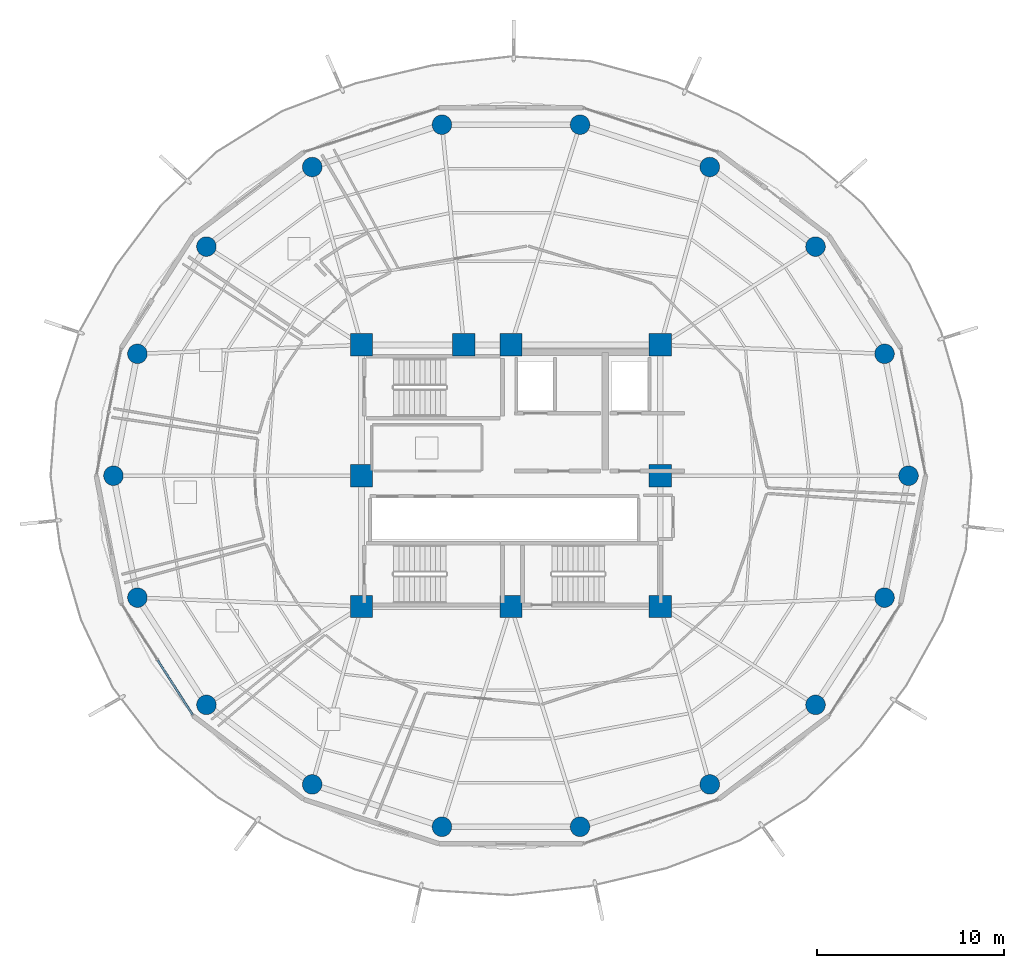
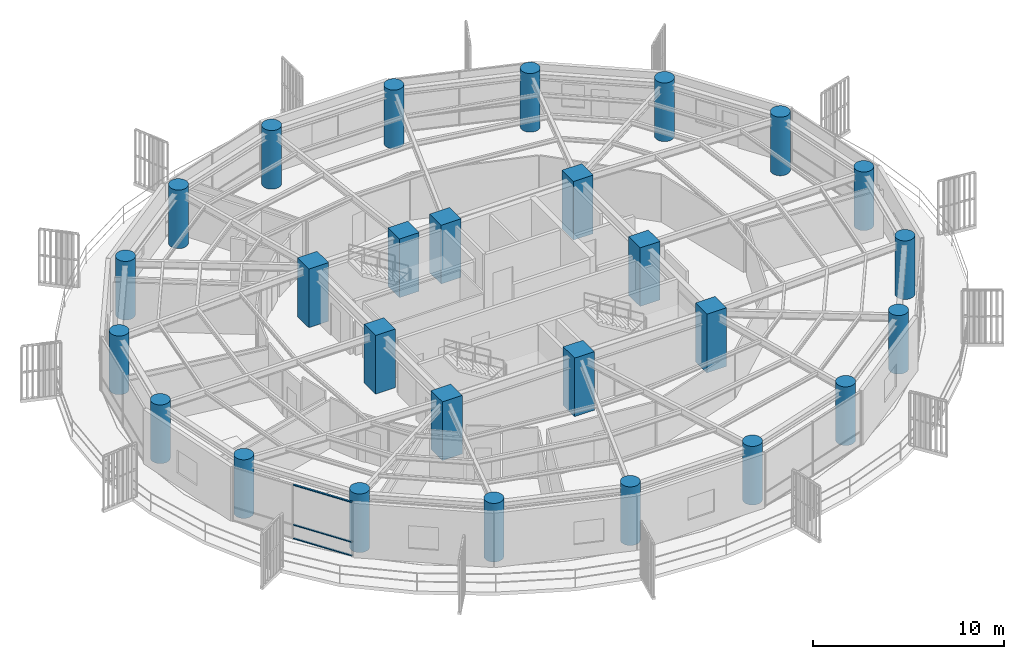
# One storey, part 1 of 31: 27 columns, 3 members, 1 element without a shape of its own.
"""IFC4 building model written with IfcOpenShell, lengths in metres."""

import ifcopenshell
import ifcopenshell.guid

model = None  # the IFC model being written
_history = None  # IfcOwnerHistory: only IFC2X3 demands one
_inside = {}  # id of a spatial element -> (the spatial element, [elements in it])
_under = {}  # id of a project, library or spatial element -> (it, [spatial elements below it])
_declared = {}  # id of a project -> (the project, [libraries it declares])
_typed = {}  # id of a type object -> (the type object, [elements of that type])
_made_of = {}  # id of a material, layer set ... -> (it, [elements and type objects made of it])


def new_model(schema):
    """Start an empty IFC model of exactly this schema.

    Asked for "IFC4X3", IfcOpenShell would pick the latest addendum, in which some entities
    have other attributes; the version numbers below select the first issue.
    IFC2X3 requires an IfcOwnerHistory on every rooted entity: one is made here for all.
    """
    global model, _history
    if schema == "IFC4X3":
        model = ifcopenshell.file(schema_version=(4, 3, 0, 0))
    else:
        model = ifcopenshell.file(schema=schema)
    _inside.clear()
    _under.clear()
    _declared.clear()
    _typed.clear()
    _made_of.clear()
    _history = None
    if model.schema == "IFC2X3":
        org = make("IfcOrganization", Name="unknown")
        user = make(
            "IfcPersonAndOrganization",
            ThePerson=make("IfcPerson", FamilyName="unknown"),
            TheOrganization=org,
        )
        app = make(
            "IfcApplication",
            ApplicationDeveloper=org,
            Version="unknown",
            ApplicationFullName="unknown",
            ApplicationIdentifier="unknown",
        )
        _history = make(
            "IfcOwnerHistory",
            OwningUser=user,
            OwningApplication=app,
            ChangeAction="ADDED",
            CreationDate=0,
        )
    return model


def make(cls, **values):
    """One entity of the class cls with the attributes given. An attribute that is None is left unset."""
    return model.create_entity(
        cls, **{name: value for name, value in values.items() if value is not None}
    )


def rooted(cls, **values):
    """An entity with a GlobalId (a new one), such as an element, a storey or a relation."""
    return make(cls, GlobalId=ifcopenshell.guid.new(), OwnerHistory=_history, **values)


def si_unit(unit_type, name, prefix=None):
    """IfcSIUnit, for example si_unit("LENGTHUNIT", "METRE", prefix="MILLI")."""
    return make("IfcSIUnit", UnitType=unit_type, Prefix=prefix, Name=name)


def assignment(units):
    """IfcUnitAssignment: the units of a project."""
    return None if units is None else make("IfcUnitAssignment", Units=units)


def point(xyz):
    """IfcCartesianPoint."""
    return None if xyz is None else make("IfcCartesianPoint", Coordinates=xyz)


def direction(xyz):
    """IfcDirection."""
    return None if xyz is None else make("IfcDirection", DirectionRatios=xyz)


def frame(location, z_axis=None, x_axis=None):
    """IfcAxis2Placement3D, a coordinate frame: its origin and axes. An axis left out is left unset."""
    return make(
        "IfcAxis2Placement3D",
        Location=point(location),
        Axis=direction(z_axis),
        RefDirection=direction(x_axis),
    )


def frame_2d(location, x_axis=None):
    """IfcAxis2Placement2D, a coordinate frame in the plane: its origin and x axis."""
    return make(
        "IfcAxis2Placement2D", Location=point(location), RefDirection=direction(x_axis)
    )


def origin():
    """The frame at (0, 0, 0) with its axes left unset."""
    return frame((0.0, 0.0, 0.0))


def origin_2d():
    """The frame at (0, 0) in the plane with its x axis left unset."""
    return frame_2d((0.0, 0.0))


def place(relative_to, where):
    """IfcLocalPlacement: puts the frame where relative to a parent placement (None: the world)."""
    return make(
        "IfcLocalPlacement", PlacementRelTo=relative_to, RelativePlacement=where
    )


def context(
    kind, dimensions, precision=None, world=None, true_north=None, identifier=None
):
    """IfcGeometricRepresentationContext, for example the 3D "Model" context."""
    return make(
        "IfcGeometricRepresentationContext",
        ContextIdentifier=identifier,
        ContextType=kind,
        CoordinateSpaceDimension=dimensions,
        Precision=precision,
        WorldCoordinateSystem=world,
        TrueNorth=true_north,
    )


def subcontext(parent, identifier, kind, view, scale=None):
    """IfcGeometricRepresentationSubContext, for example "Body" below "Model"."""
    return make(
        "IfcGeometricRepresentationSubContext",
        ContextIdentifier=identifier,
        ContextType=kind,
        ParentContext=parent,
        TargetScale=scale,
        TargetView=view,
    )


def project(units=None, contexts=None):
    """IfcProject with its units and contexts."""
    return rooted(
        "IfcProject",
        Name="project",
        RepresentationContexts=contexts,
        UnitsInContext=assignment(units),
    )


def spatial(cls, under=None, at=None, **own):
    """A site, building, storey or space (cls), placed at a placement, below another one or the project."""
    s = rooted(cls, ObjectPlacement=at, **own)
    if under is not None:
        _under.setdefault(under.id(), (under, []))[1].append(s)
    return s


def profile(cls, at=None, kind="AREA", **sizes):
    """A parametric profile (cls). Its sizes go by their IFC names, for example OverallWidth=200.0."""
    return make(cls, ProfileType=kind, Position=at, **sizes)


def rectangle(**sizes):
    """IfcRectangleProfileDef."""
    return profile("IfcRectangleProfileDef", **sizes)


def hollow_rectangle(**sizes):
    """IfcRectangleHollowProfileDef."""
    return profile("IfcRectangleHollowProfileDef", **sizes)


def circle(**sizes):
    """IfcCircleProfileDef."""
    return profile("IfcCircleProfileDef", **sizes)


def extrude(swept, where, along, depth):
    """IfcExtrudedAreaSolid: the profile swept, set in the frame where, extruded along a direction by depth."""
    return make(
        "IfcExtrudedAreaSolid",
        SweptArea=swept,
        Position=where,
        ExtrudedDirection=direction(along),
        Depth=depth,
    )


def shape(context_of_items, identifier, shape_type, items):
    """IfcShapeRepresentation: the items that make up one representation, for example the "Body"."""
    return make(
        "IfcShapeRepresentation",
        ContextOfItems=context_of_items,
        RepresentationIdentifier=identifier,
        RepresentationType=shape_type,
        Items=items,
    )


def material(Name=None, Category=None):
    """IfcMaterial."""
    return make("IfcMaterial", Name=Name, Category=Category)


def layer(
    of_material, thickness, ventilated=None, Name=None, Category=None, Priority=None
):
    """IfcMaterialLayer: one layer of a wall or slab, of a material (None: an air gap)."""
    return make(
        "IfcMaterialLayer",
        Material=of_material,
        LayerThickness=thickness,
        IsVentilated=ventilated,
        Name=Name,
        Category=Category,
        Priority=Priority,
    )


def layer_set(layers, Name=None):
    """IfcMaterialLayerSet."""
    return make("IfcMaterialLayerSet", MaterialLayers=layers, LayerSetName=Name)


def material_profile(
    of_material, cross_section, Name=None, Category=None, Priority=None
):
    """IfcMaterialProfile: a cross section and its material."""
    return make(
        "IfcMaterialProfile",
        Name=Name,
        Material=of_material,
        Profile=cross_section,
        Priority=Priority,
        Category=Category,
    )


def profile_set(profiles, Name=None, composite=None):
    """IfcMaterialProfileSet."""
    return make(
        "IfcMaterialProfileSet",
        Name=Name,
        MaterialProfiles=profiles,
        CompositeProfile=composite,
    )


def made_of(thing, what):
    """Note that an element or type object is made of a material, layer set ...; save() writes the relation."""
    if what is not None:
        _made_of.setdefault(what.id(), (what, []))[1].append(thing)
    return thing


def type_object(cls, material=None, **own):
    """A type object (cls), such as IfcWallType, which elements share."""
    return made_of(rooted(cls, **own), material)


def element(
    cls,
    number,
    at=None,
    inside=None,
    cuts=None,
    type_object=None,
    material=None,
    context=None,
    identifier="Body",
    shape_type=None,
    held_by="IfcProductDefinitionShape",
    body=None,
    shapes=None,
    **own,
):
    """One element of the class cls, such as IfcWall. Its Tag is "e" and its number.

    at: its placement. inside: the storey or other place that contains it. cuts: it is an
    opening in that element (IfcRelVoidsElement). A single representation is given by context,
    identifier, shape_type and body (its items); several are given by shapes. held_by: the class
    of the entity that holds the representations. save() writes the other relations.
    """
    e = rooted(cls, Tag="e%d" % number, ObjectPlacement=at, **own)
    if body is not None:
        shapes = [shape(context, identifier, shape_type, body)]
    if shapes is not None:
        e.Representation = make(held_by, Representations=shapes)
    if inside is not None:
        _inside.setdefault(inside.id(), (inside, []))[1].append(e)
    if cuts is not None:
        rooted(
            "IfcRelVoidsElement", RelatingBuildingElement=cuts, RelatedOpeningElement=e
        )
    if type_object is not None:
        _typed.setdefault(type_object.id(), (type_object, []))[1].append(e)
    return made_of(e, material)


def aggregate(whole, parts):
    """IfcRelAggregates: a whole, such as a stair, and the parts it consists of."""
    return rooted("IfcRelAggregates", RelatingObject=whole, RelatedObjects=parts)


def save(model, path):
    """Write the relations noted so far, then the file.

    IfcRelAggregates (storeys below a building ...), IfcRelContainedInSpatialStructure (elements
    in a storey), IfcRelDefinesByType, IfcRelAssociatesMaterial and IfcRelDeclares: one each for
    every whole, place, type object, material and project.
    """
    for whole, parts in _under.values():
        aggregate(whole, parts)
    for where, things in _inside.values():
        rooted(
            "IfcRelContainedInSpatialStructure",
            RelatedElements=things,
            RelatingStructure=where,
        )
    for kind, things in _typed.values():
        rooted("IfcRelDefinesByType", RelatedObjects=things, RelatingType=kind)
    for what, things in _made_of.values():
        rooted("IfcRelAssociatesMaterial", RelatedObjects=things, RelatingMaterial=what)
    for by, libraries in _declared.values():
        rooted("IfcRelDeclares", RelatingContext=by, RelatedDefinitions=libraries)
    model.write(path)


model = new_model("IFC4")

# Units and contexts
model_context = context("Model", 3, precision=1e-05, world=origin(), true_north=direction((0.0, 1.0)))
body_context = subcontext(model_context, "Body", "Model", "MODEL_VIEW")
ifc_project = project(units=[si_unit("LENGTHUNIT", "METRE"), si_unit("AREAUNIT", "SQUARE_METRE"), si_unit("VOLUMEUNIT", "CUBIC_METRE"), si_unit("PLANEANGLEUNIT", "RADIAN"), si_unit("MASSUNIT", "GRAM", prefix="KILO")], contexts=[model_context])

# Site, building, storey
site_placement = place(None, origin())
site = spatial("IfcSite", under=ifc_project, at=site_placement, CompositionType="ELEMENT")
building_placement = place(site_placement, origin())
building = spatial("IfcBuilding", under=site, at=building_placement, Name="Kelanora Arch Commons", CompositionType="ELEMENT")
storey_placement = place(building_placement, frame((0.0, 0.0, 193.199951171875)))
storey = spatial("IfcBuildingStorey", under=building, at=storey_placement, Name="L49", CompositionType="ELEMENT", Elevation=193.199951171875)

# Columns
ifc_material_1 = material(Name="Concrete C50/60", Category="concrete")
ifc_material_profile_1 = material_profile(ifc_material_1, circle(Radius=0.52490234375, at=origin_2d()), Name="RCC1050")
ifc_profile_set_1 = profile_set([ifc_material_profile_1], Name="Concrete C50/60")
column_type_1 = type_object("IfcColumnType", Name="COL-PERIM-Z4", PredefinedType="COLUMN", material=ifc_profile_set_1)
for number, where, z_axis, x_axis, name in (
    (1, (95.280029296875, 58.0, 0.0), (0.0, 0.0, 1.0), (1.0, 0.0, 0.0), "Perimeter Ring Column CP-00 L49"),
    (2, (93.99658203125, 64.525634765625, 0.0), (0.0, 0.0, 1.0), (1.0, 0.0, 0.0), "Perimeter Ring Column CP-02 L49"),
    (3, (90.301513671875, 70.264404296875, 0.0), (0.0, 0.0, 1.0), (1.0, 0.0, 0.0), "Perimeter Ring Column CP-04 L49"),
    (4, (84.639892578125, 74.523681640625, 0.0), (0.0, 0.0, 1.0), (1.0, 0.0, 0.0), "Perimeter Ring Column CP-06 L49"),
    (5, (77.6953125, 76.7900390625, 0.0), (0.0, 0.0, 1.0), (1.0, 0.0, 0.0), "Perimeter Ring Column CP-08 L49"),
    (6, (70.3046875, 76.7900390625, 0.0), (0.0, 0.0, 1.0), (1.0, 0.0, 0.0), "Perimeter Ring Column CP-10 L49"),
    (7, (63.360107421875, 74.523681640625, 0.0), (0.0, 0.0, 1.0), (1.0, 0.0, 0.0), "Perimeter Ring Column CP-12 L49"),
    (8, (57.698486328125, 70.264404296875, 0.0), (0.0, 0.0, 1.0), (1.0, 0.0, 0.0), "Perimeter Ring Column CP-14 L49"),
    (9, (54.00341796875, 64.525634765625, 0.0), (0.0, 0.0, 1.0), (1.0, 0.0, 0.0), "Perimeter Ring Column CP-16 L49"),
    (10, (52.719970703125, 58.0, 0.0), (0.0, 0.0, 1.0), (1.0, 0.0, 0.0), "Perimeter Ring Column CP-18 L49"),
    (11, (54.00341796875, 51.474365234375, 0.0), (0.0, 0.0, 1.0), (1.0, 0.0, 0.0), "Perimeter Ring Column CP-20 L49"),
    (12, (57.698486328125, 45.735595703125, 0.0), (0.0, 0.0, 1.0), (1.0, 0.0, 0.0), "Perimeter Ring Column CP-22 L49"),
    (13, (63.360107421875, 41.476318359375, 0.0), (0.0, 0.0, 1.0), (1.0, 0.0, 0.0), "Perimeter Ring Column CP-24 L49"),
    (14, (70.3046875, 39.2099609375, 0.0), (0.0, 0.0, 1.0), (1.0, 0.0, 0.0), "Perimeter Ring Column CP-26 L49"),
    (15, (77.6953125, 39.2099609375, 0.0), (0.0, 0.0, 1.0), (1.0, 0.0, 0.0), "Perimeter Ring Column CP-28 L49"),
    (16, (84.639892578125, 41.476318359375, 0.0), (0.0, 0.0, 1.0), (1.0, 0.0, 0.0), "Perimeter Ring Column CP-30 L49"),
    (17, (90.301513671875, 45.735595703125, 0.0), (0.0, 0.0, 1.0), (1.0, 0.0, 0.0), "Perimeter Ring Column CP-32 L49"),
    (18, (93.99658203125, 51.474365234375, 0.0), (0.0, 0.0, 1.0), (1.0, 0.0, 0.0), "Perimeter Ring Column CP-34 L49"),
):
    element("IfcColumn", number, at=place(storey_placement, frame(where, z_axis=z_axis, x_axis=x_axis)), inside=storey, type_object=column_type_1, Name=name, PredefinedType="COLUMN", context=body_context, shape_type="SweptSolid", body=[
        extrude(circle(Radius=0.52490234375, at=origin_2d()), origin(), (0.0, 0.0, 1.0), 3.75),
    ])
ifc_material_2 = material(Name="Concrete C60/75", Category="concrete")
ifc_material_profile_2 = material_profile(ifc_material_2, rectangle(XDim=1.199951171875, YDim=1.199951171875, at=origin_2d()), Name="RC1200x1200")
ifc_profile_set_2 = profile_set([ifc_material_profile_2], Name="Concrete C60/75")
column_type_2 = type_object("IfcColumnType", Name="COL-PIL-MID", PredefinedType="PILASTER", material=ifc_profile_set_2)
for number, where, z_axis, x_axis, name in (
    (19, (66.0, 51.0, 0.0), (0.0, 0.0, 1.0), (1.0, 0.0, 0.0), "Core Pilaster Column CP1 L49"),
    (20, (74.0, 51.0, 0.0), (0.0, 0.0, 1.0), (1.0, 0.0, 0.0), "Core Pilaster Column CP2 L49"),
    (21, (82.0, 51.0, 0.0), (0.0, 0.0, 1.0), (1.0, 0.0, 0.0), "Core Pilaster Column CP3 L49"),
    (22, (82.0, 58.0, 0.0), (0.0, 0.0, 1.0), (1.0, 0.0, 0.0), "Core Pilaster Column CP4 L49"),
    (23, (82.0, 65.0, 0.0), (0.0, 0.0, 1.0), (1.0, 0.0, 0.0), "Core Pilaster Column CP5 L49"),
    (24, (74.0, 65.0, 0.0), (0.0, 0.0, 1.0), (1.0, 0.0, 0.0), "Core Pilaster Column CP6 L49"),
    (25, (71.47998046875, 65.0, 0.0), (0.0, 0.0, 1.0), (1.0, 0.0, 0.0), "Core Pilaster Column CP9 L49"),
    (26, (66.0, 65.0, 0.0), (0.0, 0.0, 1.0), (1.0, 0.0, 0.0), "Core Pilaster Column CP7 L49"),
    (27, (66.0, 58.0, 0.0), (0.0, 0.0, 1.0), (1.0, 0.0, 0.0), "Core Pilaster Column CP8 L49"),
):
    element("IfcColumn", number, at=place(storey_placement, frame(where, z_axis=z_axis, x_axis=x_axis)), inside=storey, type_object=column_type_2, Name=name, PredefinedType="PILASTER", context=body_context, shape_type="SweptSolid", body=[
        extrude(rectangle(XDim=1.199951171875, YDim=1.199951171875, at=origin_2d()), origin(), (0.0, 0.0, 1.0), 3.75),
    ])

# Curtain wall, members
ifc_material_3 = material(Name="Terracotta ceramic-fritted low-E glass and aluminium", Category="masonry")
ifc_layer = layer(ifc_material_3, 0.175048828125)
ifc_layer_set = layer_set([ifc_layer], Name="Terracotta ceramic-fritted low-E glass and aluminium")
curtain_wall_type = type_object("IfcCurtainWallType", Name="CW-SYS-02", PredefinedType="NOTDEFINED", material=ifc_layer_set)
curtain_wall_placement = place(storey_placement, origin())
curtain_wall = element("IfcCurtainWall", 28, at=curtain_wall_placement, inside=storey, type_object=curtain_wall_type, Name="Unitised Curtain Wall L49-B10", PredefinedType="NOTDEFINED")
ifc_material_4 = material(Name="Powder-coated aluminium terracotta", Category="masonry")
ifc_material_profile_3 = material_profile(ifc_material_4, hollow_rectangle(XDim=0.1201171875, YDim=0.06005859375, WallThickness=0.0048828125, InnerFilletRadius=0.0048828125, OuterFilletRadius=0.010009765625, at=origin_2d()), Name="CWT120x60")
ifc_profile_set_3 = profile_set([ifc_material_profile_3], Name="Powder-coated aluminium terracotta")
member_type = type_object("IfcMemberType", Name="CWT-STD", PredefinedType="USERDEFINED", material=ifc_profile_set_3)
member_1_placement = place(storey_placement, frame((55.08251953125, 48.126708984375, 0.030029296875), z_axis=(0.53954710894, -0.841955412854, 0.0), x_axis=(0.841955412854, 0.53954710894, 0.0)))
member_1 = element("IfcMember", 29, at=member_1_placement, type_object=member_type, Name="CW-02 transom 2.1", ObjectType="TRANSOM", PredefinedType="USERDEFINED", context=body_context, shape_type="SweptSolid", body=[
    extrude(hollow_rectangle(XDim=0.1201171875, YDim=0.06005859375, WallThickness=0.0048828125, InnerFilletRadius=0.0048828125, OuterFilletRadius=0.010009765625, at=origin_2d()), origin(), (0.0, 0.0, 1.0), 3.467529296875),
])
member_2_placement = place(storey_placement, frame((55.08251953125, 48.126708984375, 0.900146484375), z_axis=(0.53954710894, -0.841955412854, 0.0), x_axis=(0.841955412854, 0.53954710894, 0.0)))
member_2 = element("IfcMember", 30, at=member_2_placement, type_object=member_type, Name="CW-02 transom 2.2", ObjectType="TRANSOM", PredefinedType="USERDEFINED", context=body_context, shape_type="SweptSolid", body=[
    extrude(hollow_rectangle(XDim=0.1201171875, YDim=0.06005859375, WallThickness=0.0048828125, InnerFilletRadius=0.0048828125, OuterFilletRadius=0.010009765625, at=origin_2d()), origin(), (0.0, 0.0, 1.0), 3.467529296875),
])
member_3_placement = place(storey_placement, frame((55.08251953125, 48.126708984375, 3.445068359375), z_axis=(0.53954710894, -0.841955412854, 0.0), x_axis=(0.841955412854, 0.53954710894, 0.0)))
member_3 = element("IfcMember", 31, at=member_3_placement, type_object=member_type, Name="CW-02 transom 2.3", ObjectType="TRANSOM", PredefinedType="USERDEFINED", context=body_context, shape_type="SweptSolid", body=[
    extrude(hollow_rectangle(XDim=0.1201171875, YDim=0.06005859375, WallThickness=0.0048828125, InnerFilletRadius=0.0048828125, OuterFilletRadius=0.010009765625, at=origin_2d()), origin(), (0.0, 0.0, 1.0), 3.467529296875),
])
aggregate(curtain_wall, [member_1, member_2, member_3])

save(model, "model.ifc")
